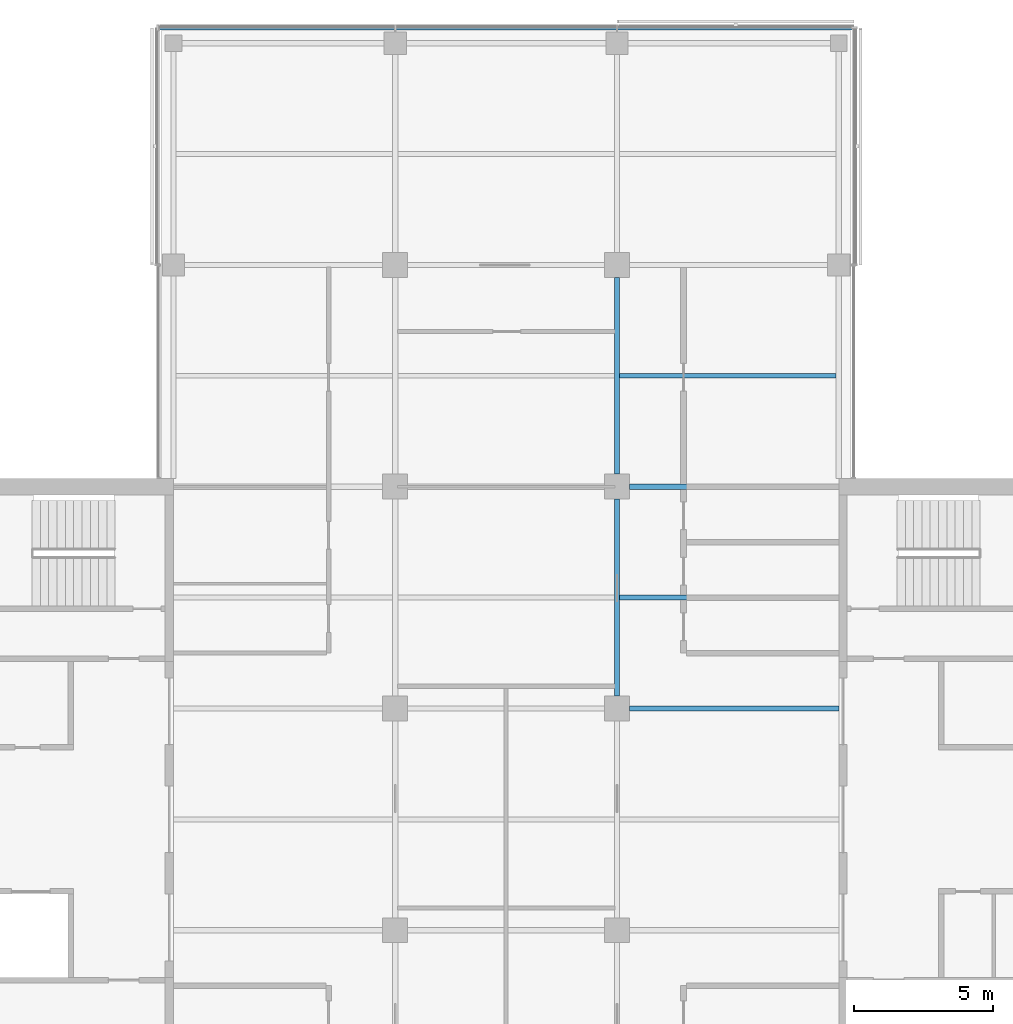
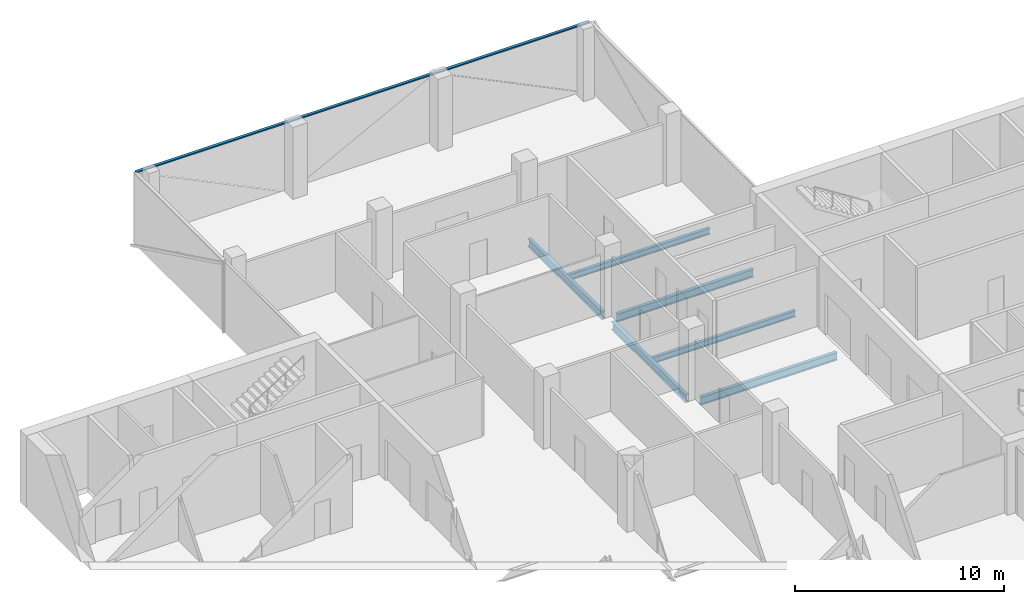
# One storey, part 6 of 16: 6 beams, 1 member, 1 element without a shape of its own.
"""IFC4 building model written with IfcOpenShell, lengths in metres."""

import ifcopenshell
import ifcopenshell.guid

model = None  # the IFC model being written
_history = None  # IfcOwnerHistory: only IFC2X3 demands one
_inside = {}  # id of a spatial element -> (the spatial element, [elements in it])
_under = {}  # id of a project, library or spatial element -> (it, [spatial elements below it])
_declared = {}  # id of a project -> (the project, [libraries it declares])
_typed = {}  # id of a type object -> (the type object, [elements of that type])
_made_of = {}  # id of a material, layer set ... -> (it, [elements and type objects made of it])


def new_model(schema):
    """Start an empty IFC model of exactly this schema.

    Asked for "IFC4X3", IfcOpenShell would pick the latest addendum, in which some entities
    have other attributes; the version numbers below select the first issue.
    IFC2X3 requires an IfcOwnerHistory on every rooted entity: one is made here for all.
    """
    global model, _history
    if schema == "IFC4X3":
        model = ifcopenshell.file(schema_version=(4, 3, 0, 0))
    else:
        model = ifcopenshell.file(schema=schema)
    _inside.clear()
    _under.clear()
    _declared.clear()
    _typed.clear()
    _made_of.clear()
    _history = None
    if model.schema == "IFC2X3":
        org = make("IfcOrganization", Name="unknown")
        user = make(
            "IfcPersonAndOrganization",
            ThePerson=make("IfcPerson", FamilyName="unknown"),
            TheOrganization=org,
        )
        app = make(
            "IfcApplication",
            ApplicationDeveloper=org,
            Version="unknown",
            ApplicationFullName="unknown",
            ApplicationIdentifier="unknown",
        )
        _history = make(
            "IfcOwnerHistory",
            OwningUser=user,
            OwningApplication=app,
            ChangeAction="ADDED",
            CreationDate=0,
        )
    return model


def make(cls, **values):
    """One entity of the class cls with the attributes given. An attribute that is None is left unset."""
    return model.create_entity(
        cls, **{name: value for name, value in values.items() if value is not None}
    )


def rooted(cls, **values):
    """An entity with a GlobalId (a new one), such as an element, a storey or a relation."""
    return make(cls, GlobalId=ifcopenshell.guid.new(), OwnerHistory=_history, **values)


def si_unit(unit_type, name, prefix=None):
    """IfcSIUnit, for example si_unit("LENGTHUNIT", "METRE", prefix="MILLI")."""
    return make("IfcSIUnit", UnitType=unit_type, Prefix=prefix, Name=name)


def assignment(units):
    """IfcUnitAssignment: the units of a project."""
    return None if units is None else make("IfcUnitAssignment", Units=units)


def point(xyz):
    """IfcCartesianPoint."""
    return None if xyz is None else make("IfcCartesianPoint", Coordinates=xyz)


def direction(xyz):
    """IfcDirection."""
    return None if xyz is None else make("IfcDirection", DirectionRatios=xyz)


def frame(location, z_axis=None, x_axis=None):
    """IfcAxis2Placement3D, a coordinate frame: its origin and axes. An axis left out is left unset."""
    return make(
        "IfcAxis2Placement3D",
        Location=point(location),
        Axis=direction(z_axis),
        RefDirection=direction(x_axis),
    )


def frame_2d(location, x_axis=None):
    """IfcAxis2Placement2D, a coordinate frame in the plane: its origin and x axis."""
    return make(
        "IfcAxis2Placement2D", Location=point(location), RefDirection=direction(x_axis)
    )


def origin():
    """The frame at (0, 0, 0) with its axes left unset."""
    return frame((0.0, 0.0, 0.0))


def origin_2d():
    """The frame at (0, 0) in the plane with its x axis left unset."""
    return frame_2d((0.0, 0.0))


def place(relative_to, where):
    """IfcLocalPlacement: puts the frame where relative to a parent placement (None: the world)."""
    return make(
        "IfcLocalPlacement", PlacementRelTo=relative_to, RelativePlacement=where
    )


def context(
    kind, dimensions, precision=None, world=None, true_north=None, identifier=None
):
    """IfcGeometricRepresentationContext, for example the 3D "Model" context."""
    return make(
        "IfcGeometricRepresentationContext",
        ContextIdentifier=identifier,
        ContextType=kind,
        CoordinateSpaceDimension=dimensions,
        Precision=precision,
        WorldCoordinateSystem=world,
        TrueNorth=true_north,
    )


def subcontext(parent, identifier, kind, view, scale=None):
    """IfcGeometricRepresentationSubContext, for example "Body" below "Model"."""
    return make(
        "IfcGeometricRepresentationSubContext",
        ContextIdentifier=identifier,
        ContextType=kind,
        ParentContext=parent,
        TargetScale=scale,
        TargetView=view,
    )


def project(units=None, contexts=None):
    """IfcProject with its units and contexts."""
    return rooted(
        "IfcProject",
        Name="project",
        RepresentationContexts=contexts,
        UnitsInContext=assignment(units),
    )


def spatial(cls, under=None, at=None, **own):
    """A site, building, storey or space (cls), placed at a placement, below another one or the project."""
    s = rooted(cls, ObjectPlacement=at, **own)
    if under is not None:
        _under.setdefault(under.id(), (under, []))[1].append(s)
    return s


def profile(cls, at=None, kind="AREA", **sizes):
    """A parametric profile (cls). Its sizes go by their IFC names, for example OverallWidth=200.0."""
    return make(cls, ProfileType=kind, Position=at, **sizes)


def rectangle(**sizes):
    """IfcRectangleProfileDef."""
    return profile("IfcRectangleProfileDef", **sizes)


def i_section(**sizes):
    """IfcIShapeProfileDef."""
    return profile("IfcIShapeProfileDef", **sizes)


def extrude(swept, where, along, depth):
    """IfcExtrudedAreaSolid: the profile swept, set in the frame where, extruded along a direction by depth."""
    return make(
        "IfcExtrudedAreaSolid",
        SweptArea=swept,
        Position=where,
        ExtrudedDirection=direction(along),
        Depth=depth,
    )


def shape(context_of_items, identifier, shape_type, items):
    """IfcShapeRepresentation: the items that make up one representation, for example the "Body"."""
    return make(
        "IfcShapeRepresentation",
        ContextOfItems=context_of_items,
        RepresentationIdentifier=identifier,
        RepresentationType=shape_type,
        Items=items,
    )


def material(Name=None, Category=None):
    """IfcMaterial."""
    return make("IfcMaterial", Name=Name, Category=Category)


def material_profile(
    of_material, cross_section, Name=None, Category=None, Priority=None
):
    """IfcMaterialProfile: a cross section and its material."""
    return make(
        "IfcMaterialProfile",
        Name=Name,
        Material=of_material,
        Profile=cross_section,
        Priority=Priority,
        Category=Category,
    )


def profile_set(profiles, Name=None, composite=None):
    """IfcMaterialProfileSet."""
    return make(
        "IfcMaterialProfileSet",
        Name=Name,
        MaterialProfiles=profiles,
        CompositeProfile=composite,
    )


def made_of(thing, what):
    """Note that an element or type object is made of a material, layer set ...; save() writes the relation."""
    if what is not None:
        _made_of.setdefault(what.id(), (what, []))[1].append(thing)
    return thing


def type_object(cls, material=None, **own):
    """A type object (cls), such as IfcWallType, which elements share."""
    return made_of(rooted(cls, **own), material)


def element(
    cls,
    number,
    at=None,
    inside=None,
    cuts=None,
    type_object=None,
    material=None,
    context=None,
    identifier="Body",
    shape_type=None,
    held_by="IfcProductDefinitionShape",
    body=None,
    shapes=None,
    **own,
):
    """One element of the class cls, such as IfcWall. Its Tag is "e" and its number.

    at: its placement. inside: the storey or other place that contains it. cuts: it is an
    opening in that element (IfcRelVoidsElement). A single representation is given by context,
    identifier, shape_type and body (its items); several are given by shapes. held_by: the class
    of the entity that holds the representations. save() writes the other relations.
    """
    e = rooted(cls, Tag="e%d" % number, ObjectPlacement=at, **own)
    if body is not None:
        shapes = [shape(context, identifier, shape_type, body)]
    if shapes is not None:
        e.Representation = make(held_by, Representations=shapes)
    if inside is not None:
        _inside.setdefault(inside.id(), (inside, []))[1].append(e)
    if cuts is not None:
        rooted(
            "IfcRelVoidsElement", RelatingBuildingElement=cuts, RelatedOpeningElement=e
        )
    if type_object is not None:
        _typed.setdefault(type_object.id(), (type_object, []))[1].append(e)
    return made_of(e, material)


def aggregate(whole, parts):
    """IfcRelAggregates: a whole, such as a stair, and the parts it consists of."""
    return rooted("IfcRelAggregates", RelatingObject=whole, RelatedObjects=parts)


def save(model, path):
    """Write the relations noted so far, then the file.

    IfcRelAggregates (storeys below a building ...), IfcRelContainedInSpatialStructure (elements
    in a storey), IfcRelDefinesByType, IfcRelAssociatesMaterial and IfcRelDeclares: one each for
    every whole, place, type object, material and project.
    """
    for whole, parts in _under.values():
        aggregate(whole, parts)
    for where, things in _inside.values():
        rooted(
            "IfcRelContainedInSpatialStructure",
            RelatedElements=things,
            RelatingStructure=where,
        )
    for kind, things in _typed.values():
        rooted("IfcRelDefinesByType", RelatedObjects=things, RelatingType=kind)
    for what, things in _made_of.values():
        rooted("IfcRelAssociatesMaterial", RelatedObjects=things, RelatingMaterial=what)
    for by, libraries in _declared.values():
        rooted("IfcRelDeclares", RelatingContext=by, RelatedDefinitions=libraries)
    model.write(path)


model = new_model("IFC4")

# Units and contexts
model_context = context("Model", 3, precision=1e-05, world=origin(), true_north=direction((0.0, 1.0)))
body_context = subcontext(model_context, "Body", "Model", "MODEL_VIEW")
ifc_project = project(units=[si_unit("LENGTHUNIT", "METRE"), si_unit("AREAUNIT", "SQUARE_METRE"), si_unit("VOLUMEUNIT", "CUBIC_METRE"), si_unit("PLANEANGLEUNIT", "RADIAN"), si_unit("MASSUNIT", "GRAM", prefix="KILO")], contexts=[model_context])

# Site, building, storey
site_placement = place(None, origin())
site = spatial("IfcSite", under=ifc_project, at=site_placement, CompositionType="ELEMENT")
building_placement = place(site_placement, origin())
building = spatial("IfcBuilding", under=site, at=building_placement, Name="Crosswind Convention Tower", CompositionType="ELEMENT")
storey_placement = place(building_placement, frame((0.0, 0.0, 208.300048828125)))
storey = spatial("IfcBuildingStorey", under=building, at=storey_placement, Name="L44", CompositionType="ELEMENT", Elevation=208.300048828125)

# Beams
ifc_material_1 = material(Name="Steel S355", Category="steel")
ifc_material_profile_1 = material_profile(ifc_material_1, i_section(OverallWidth=0.1904296875, OverallDepth=0.457275390625, WebThickness=0.009033203125, FlangeThickness=0.014404296875, FilletRadius=0.01025390625, at=origin_2d()), Name="UB 457x191x75")
ifc_profile_set_1 = profile_set([ifc_material_profile_1], Name="Steel S355")
beam_type_1 = type_object("IfcBeamType", Name="Girder UB 457x191x75", PredefinedType="BEAM", material=ifc_profile_set_1)
for number, where, z_axis, x_axis, name in (
    (1, (129.0, 104.449951171875, -0.528564453125), (0.0, 1.0, 0.0), (-1.0, 0.0, 0.0), "B2 L44 girder 20"),
    (2, (129.0, 112.449951171875, -0.528564453125), (0.0, 1.0, 0.0), (-1.0, 0.0, 0.0), "B2 L44 girder 21"),
):
    element("IfcBeam", number, at=place(storey_placement, frame(where, z_axis=z_axis, x_axis=x_axis)), inside=storey, type_object=beam_type_1, Name=name, PredefinedType="BEAM", context=body_context, shape_type="SweptSolid", body=[
        extrude(i_section(OverallWidth=0.1904296875, OverallDepth=0.457275390625, WebThickness=0.009033203125, FlangeThickness=0.014404296875, FilletRadius=0.01025390625, at=origin_2d()), origin(), (0.0, 0.0, 1.0), 7.10009765625),
    ])
ifc_material_profile_2 = material_profile(ifc_material_1, i_section(OverallWidth=0.19140625, OverallDepth=0.460205078125, WebThickness=0.010009765625, FlangeThickness=0.01611328125, FilletRadius=0.01025390625, at=origin_2d()), Name="UB 457x191x82")
ifc_profile_set_2 = profile_set([ifc_material_profile_2], Name="Steel S355")
beam_type_2 = type_object("IfcBeamType", Name="Girder at core wall UB 457x191x82", PredefinedType="BEAM", material=ifc_profile_set_2)
for number, where, z_axis, x_axis, name in (
    (3, (129.449951171875, 104.0, -0.530029296875), (1.0, 0.0, 0.0), (0.0, 1.0, 0.0), "B23 L44 girder at core wall 7"),
    (4, (129.449951171875, 112.0, -0.530029296875), (1.0, 0.0, 0.0), (0.0, 1.0, 0.0), "B23 L44 girder at core wall 8"),
):
    element("IfcBeam", number, at=place(storey_placement, frame(where, z_axis=z_axis, x_axis=x_axis)), inside=storey, type_object=beam_type_2, Name=name, PredefinedType="BEAM", context=body_context, shape_type="SweptSolid", body=[
        extrude(i_section(OverallWidth=0.19140625, OverallDepth=0.460205078125, WebThickness=0.010009765625, FlangeThickness=0.01611328125, FilletRadius=0.01025390625, at=origin_2d()), origin(), (0.0, 0.0, 1.0), 7.550048828125),
    ])
ifc_material_profile_3 = material_profile(ifc_material_1, i_section(OverallWidth=0.172119140625, OverallDepth=0.358642578125, WebThickness=0.008056640625, FlangeThickness=0.012939453125, FilletRadius=0.01025390625, at=origin_2d()), Name="UB 356x171x57")
ifc_profile_set_3 = profile_set([ifc_material_profile_3], Name="Steel S355")
beam_type_3 = type_object("IfcBeamType", Name="Secondary beam UB 356x171x57", PredefinedType="JOIST", material=ifc_profile_set_3)
beam_1_placement = place(storey_placement, frame((129.09521484375, 108.0, -0.479248046875), z_axis=(1.0, 0.0, 0.0), x_axis=(0.0, 1.0, 0.0)))
element("IfcBeam", 5, at=beam_1_placement, inside=storey, type_object=beam_type_3, Name="B9 L44 secondary beam 19", PredefinedType="JOIST", context=body_context, shape_type="SweptSolid", body=[
    extrude(i_section(OverallWidth=0.172119140625, OverallDepth=0.358642578125, WebThickness=0.008056640625, FlangeThickness=0.012939453125, FilletRadius=0.01025390625, at=origin_2d()), origin(), (0.0, 0.0, 1.0), 7.90478515625),
])
beam_2_placement = place(storey_placement, frame((129.09521484375, 116.0, -0.479248046875), z_axis=(1.0, 0.0, 0.0), x_axis=(0.0, 1.0, 0.0)))
element("IfcBeam", 6, at=beam_2_placement, inside=storey, type_object=beam_type_3, Name="B9 L44 secondary beam 20", PredefinedType="JOIST", context=body_context, shape_type="SweptSolid", body=[
    extrude(i_section(OverallWidth=0.172119140625, OverallDepth=0.358642578125, WebThickness=0.008056640625, FlangeThickness=0.012939453125, FilletRadius=0.01025390625, at=origin_2d()), origin(), (0.0, 0.0, 1.0), 7.809814453125),
])

# Curtain wall, member
ifc_material_2 = material(Name="Aluminium unitised curtain wall", Category="aluminium")
curtain_wall_type = type_object("IfcCurtainWallType", Name="OFFICE UNITISED WALL 220", PredefinedType="USERDEFINED", material=ifc_material_2)
curtain_wall_placement = place(storey_placement, origin())
curtain_wall = element("IfcCurtainWall", 7, at=curtain_wall_placement, inside=storey, type_object=curtain_wall_type, Name="CW3 L44 N-TIP 1", ObjectType="UNITISED", PredefinedType="USERDEFINED")
ifc_material_3 = material(Name="Aluminium transom", Category="aluminium")
ifc_material_profile_4 = material_profile(ifc_material_3, rectangle(XDim=0.159912109375, YDim=0.070068359375, at=origin_2d()), Name="AL 160X70")
ifc_profile_set_4 = profile_set([ifc_material_profile_4], Name="Aluminium transom")
member_type = type_object("IfcMemberType", Name="TRANSOM 70X160", PredefinedType="USERDEFINED", material=ifc_profile_set_4)
member_placement = place(storey_placement, frame((137.52490234375, 128.56005859375, 3.864990234375), z_axis=(-1.0, 0.0, 0.0), x_axis=(0.0, -1.0, 0.0)))
member = element("IfcMember", 8, at=member_placement, type_object=member_type, Name="CW3 transom", ObjectType="TRANSOM", PredefinedType="USERDEFINED", context=body_context, shape_type="SweptSolid", body=[
    extrude(rectangle(XDim=0.159912109375, YDim=0.070068359375, at=origin_2d()), origin(), (0.0, 0.0, 1.0), 25.0498046875),
])
aggregate(curtain_wall, [member])

save(model, "model.ifc")
